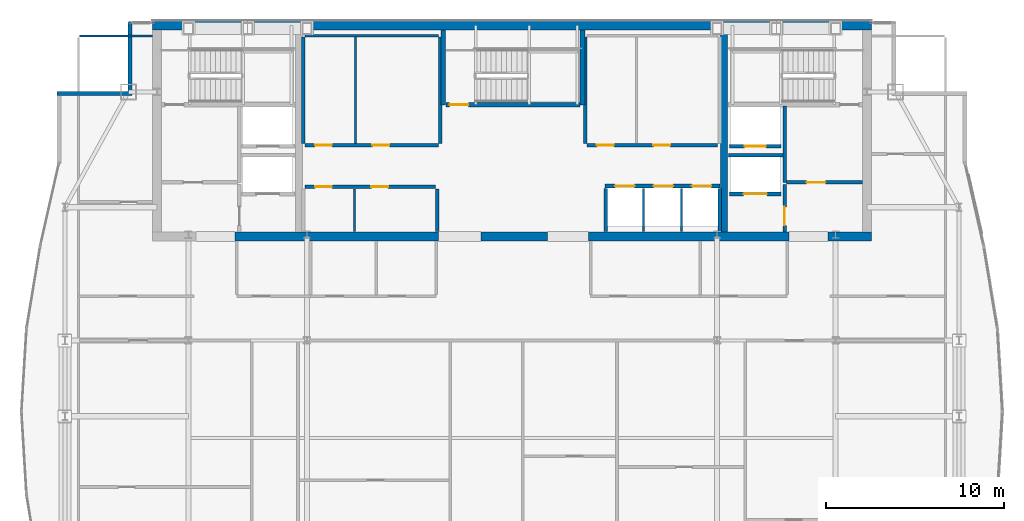
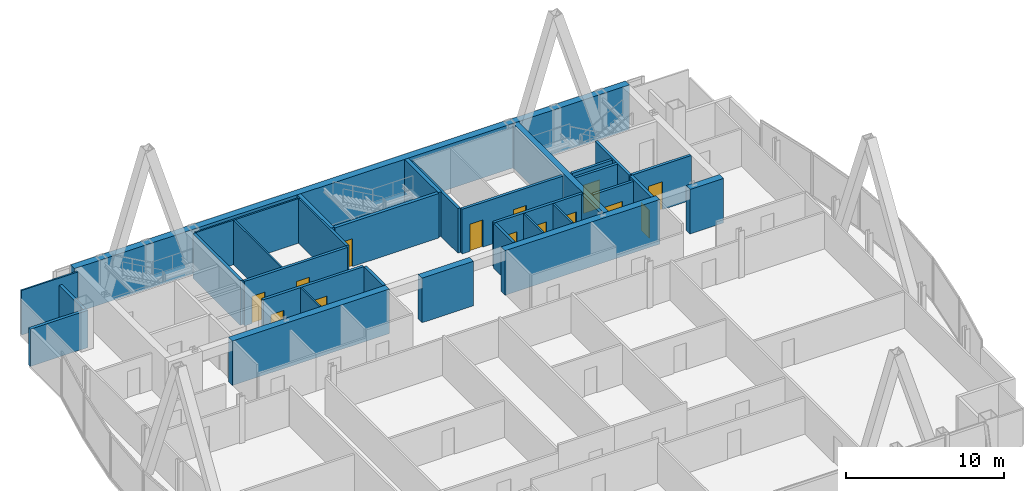
# One storey, part 28 of 31: 33 walls, 14 doors, 14 openings.
"""IFC4 building model written with IfcOpenShell, lengths in metres."""

from ifc_helpers import new_model, si_unit, direction, frame, frame_2d, origin, place, context, subcontext, project, spatial, rectangle, extrude, material, layer, layer_set, type_object, element, fill, save


model = new_model("IFC4")

# Units and contexts
model_context = context("Model", 3, precision=1e-05, world=origin(), true_north=direction((0.0, 1.0)))
body_context = subcontext(model_context, "Body", "Model", "MODEL_VIEW")
ifc_project = project(units=[si_unit("LENGTHUNIT", "METRE"), si_unit("AREAUNIT", "SQUARE_METRE"), si_unit("VOLUMEUNIT", "CUBIC_METRE"), si_unit("PLANEANGLEUNIT", "RADIAN"), si_unit("MASSUNIT", "GRAM", prefix="KILO")], contexts=[model_context])

# Site, building, storey
site_placement = place(None, origin())
site = spatial("IfcSite", under=ifc_project, at=site_placement, CompositionType="ELEMENT")
building_placement = place(site_placement, origin())
building = spatial("IfcBuilding", under=site, at=building_placement, Name="Khoronbel Lancet Exchange", CompositionType="ELEMENT")
storey_placement = place(building_placement, frame((0.0, 0.0, 325.39990234375)))
storey = spatial("IfcBuildingStorey", under=building, at=storey_placement, Name="L84", CompositionType="ELEMENT", Elevation=325.39990234375)

# Walls
ifc_material_1 = material(Name="Concrete C60/75", Category="concrete")
ifc_layer_1 = layer(ifc_material_1, 0.5, Name="Concrete C60/75")
ifc_layer_set_1 = layer_set([ifc_layer_1], Name="Concrete C60/75")
wall_type_1 = type_object("IfcWallType", Name="WL-CW4", PredefinedType="SHEAR", material=ifc_layer_set_1)
wall_1_placement = place(storey_placement, frame((16.199951171875, 53.449951171875, 0.0), z_axis=(0.0, 0.0, 1.0), x_axis=(1.0, 0.0, 0.0)))
element("IfcWall", 1, at=wall_1_placement, inside=storey, type_object=wall_type_1, Name="Level L84 rear core north shear wall", PredefinedType="SHEAR", context=body_context, shape_type="SweptSolid", body=[
    extrude(rectangle(XDim=40.5, YDim=0.5, at=frame_2d((20.25, 0.0))), origin(), (0.0, 0.0, 1.0), 3.440185546875),
])
wall_2_placement = place(storey_placement, frame((32.300048828125, 41.550048828125, 0.0), z_axis=(0.0, 0.0, 1.0), x_axis=(-1.0, 0.0, 0.0)))
element("IfcWall", 2, at=wall_2_placement, inside=storey, type_object=wall_type_1, Name="Level L84 rear core south shear wall pier P2", PredefinedType="SHEAR", context=body_context, shape_type="SweptSolid", body=[
    extrude(rectangle(XDim=11.449951171875, YDim=0.5, at=frame_2d((5.72509765625, 0.0))), origin(), (0.0, 0.0, 1.0), 3.440185546875),
])
wall_3_placement = place(storey_placement, frame((38.449951171875, 41.550048828125, 0.0), z_axis=(0.0, 0.0, 1.0), x_axis=(-1.0, 0.0, 0.0)))
element("IfcWall", 3, at=wall_3_placement, inside=storey, type_object=wall_type_1, Name="Level L84 rear core south shear wall pier P3", PredefinedType="SHEAR", context=body_context, shape_type="SweptSolid", body=[
    extrude(rectangle(XDim=3.75, YDim=0.5, at=frame_2d((1.875, 0.0))), origin(), (0.0, 0.0, 1.0), 3.440185546875),
])
wall_4_placement = place(storey_placement, frame((52.050048828125, 41.550048828125, 0.0), z_axis=(0.0, 0.0, 1.0), x_axis=(-1.0, 0.0, 0.0)))
element("IfcWall", 4, at=wall_4_placement, inside=storey, type_object=wall_type_1, Name="Level L84 rear core south shear wall pier P4", PredefinedType="SHEAR", context=body_context, shape_type="SweptSolid", body=[
    extrude(rectangle(XDim=11.300048828125, YDim=0.5, at=frame_2d((5.64990234375, 0.0))), origin(), (0.0, 0.0, 1.0), 3.440185546875),
])
wall_5_placement = place(storey_placement, frame((56.699951171875, 41.550048828125, 0.0), z_axis=(0.0, 0.0, 1.0), x_axis=(-1.0, 0.0, 0.0)))
element("IfcWall", 5, at=wall_5_placement, inside=storey, type_object=wall_type_1, Name="Level L84 rear core south shear wall pier P5", PredefinedType="SHEAR", context=body_context, shape_type="SweptSolid", body=[
    extrude(rectangle(XDim=2.449951171875, YDim=0.5, at=frame_2d((1.22509765625, 0.0))), origin(), (0.0, 0.0, 1.0), 3.440185546875),
])
ifc_material_2 = material(Name="Precast concrete C40/50", Category="concrete")
ifc_layer_2 = layer(ifc_material_2, 0.25, Name="Precast concrete C40/50")
ifc_layer_set_2 = layer_set([ifc_layer_2], Name="Precast concrete C40/50")
wall_type_2 = type_object("IfcWallType", Name="WL-EXT250", PredefinedType="SOLIDWALL", material=ifc_layer_set_2)
wall_6_placement = place(storey_placement, frame((10.830078125, 49.610107421875, 0.0), z_axis=(0.0, 0.0, 1.0), x_axis=(1.0, 0.0, 0.0)))
element("IfcWall", 6, at=wall_6_placement, inside=storey, type_object=wall_type_2, Name="Level L84 notched-corner limestone pier 11", PredefinedType="SOLIDWALL", context=body_context, shape_type="SweptSolid", body=[
    extrude(rectangle(XDim=4.219970703125, YDim=0.219970703125, at=frame_2d((2.10986328125, 0.0))), origin(), (0.0, 0.0, 1.0), 2.880126953125),
])
wall_7_placement = place(storey_placement, frame((14.93994140625, 49.719970703125, 0.0), z_axis=(0.0, 0.0, 1.0), x_axis=(0.0, 1.0, 0.0)))
element("IfcWall", 7, at=wall_7_placement, inside=storey, type_object=wall_type_2, Name="Level L84 notched-corner limestone pier 12", PredefinedType="SOLIDWALL", context=body_context, shape_type="SweptSolid", body=[
    extrude(rectangle(XDim=3.909912109375, YDim=0.219970703125, at=frame_2d((1.955078125, 0.0))), origin(), (0.0, 0.0, 1.0), 2.880126953125),
])
ifc_material_3 = material(Name="Acoustic Metal-Stud & Mineral-Wool Gypsum Partition 120 mm", Category="gypsum")
ifc_layer_3 = layer(ifc_material_3, 0.1201171875, Name="Acoustic Metal-Stud & Mineral-Wool Gypsum Partition 120 mm")
ifc_layer_set_3 = layer_set([ifc_layer_3], Name="Acoustic Metal-Stud & Mineral-Wool Gypsum Partition 120 mm")
wall_type_3 = type_object("IfcWallType", Name="WL-PRT120", PredefinedType="PARTITIONING", material=ifc_layer_set_3)
wall_8_placement = place(storey_placement, frame((12.094970703125, 52.840087890625, 0.0), z_axis=(0.0, 0.0, 1.0), x_axis=(1.0, 0.0, 0.0)))
element("IfcWall", 8, at=wall_8_placement, inside=storey, type_object=wall_type_3, Name="Level L84 interior partition PW-LIN-NW", PredefinedType="PARTITIONING", context=body_context, shape_type="SweptSolid", body=[
    extrude(rectangle(XDim=4.10498046875, YDim=0.1201171875, at=frame_2d((2.052490234375, 0.0))), origin(), (0.0, 0.0, 1.0), 3.440185546875),
])
ifc_material_4 = material(Name="Fire-Rated Metal-Stud & Mineral-Wool Gypsum Partition 120 mm", Category="gypsum")
ifc_layer_4 = layer(ifc_material_4, 0.1201171875, Name="Fire-Rated Metal-Stud & Mineral-Wool Gypsum Partition 120 mm")
ifc_layer_set_4 = layer_set([ifc_layer_4], Name="Fire-Rated Metal-Stud & Mineral-Wool Gypsum Partition 120 mm")
wall_type_4 = type_object("IfcWallType", Name="WL-PRT120F", PredefinedType="PARTITIONING", material=ifc_layer_set_4)
wall_9_placement = place(storey_placement, frame((24.804931640625, 52.860107421875, 0.0), z_axis=(0.0, 0.0, 1.0), x_axis=(1.0, 0.0, 0.0)))
element("IfcWall", 9, at=wall_9_placement, inside=storey, type_object=wall_type_4, Name="Level L84 interior partition CW-PL-RN", PredefinedType="PARTITIONING", context=body_context, shape_type="SweptSolid", body=[
    extrude(rectangle(XDim=7.510009765625, YDim=0.1201171875, at=frame_2d((3.7548828125, 0.0))), origin(), (0.0, 0.0, 1.0), 3.440185546875),
])
wall_10_placement = place(storey_placement, frame((27.633544921875, 46.804931640625, 0.0), z_axis=(0.0, 0.0, 1.0), x_axis=(0.0, 1.0, 0.0)))
element("IfcWall", 10, at=wall_10_placement, inside=storey, type_object=wall_type_4, Name="Level L84 interior partition CW-PL-RS1", PredefinedType="PARTITIONING", context=body_context, shape_type="SweptSolid", body=[
    extrude(rectangle(XDim=5.989990234375, YDim=0.1201171875, at=frame_2d((2.9951171875, 0.0))), origin(), (0.0, 0.0, 1.0), 3.440185546875),
])
wall_11_placement = place(storey_placement, frame((27.569091796875, 41.85009765625, 0.0), z_axis=(0.0, 0.0, 1.0), x_axis=(0.0, 1.0, 0.0)))
element("IfcWall", 11, at=wall_11_placement, inside=storey, type_object=wall_type_4, Name="Level L84 interior partition CW-PM-RS1", PredefinedType="PARTITIONING", context=body_context, shape_type="SweptSolid", body=[
    extrude(rectangle(XDim=2.39501953125, YDim=0.1201171875, at=frame_2d((1.197509765625, 0.0))), origin(), (0.0, 0.0, 1.0), 3.440185546875),
])
for number, where, z_axis, x_axis, name in (
    (12, (43.860107421875, 41.85009765625, 0.0), (0.0, 0.0, 1.0), (0.0, 1.0, 0.0), "Level L84 interior partition CW-PX-D1"),
    (13, (46.0, 41.85009765625, 0.0), (0.0, 0.0, 1.0), (0.0, 1.0, 0.0), "Level L84 interior partition CW-PX-D2"),
):
    element("IfcWall", number, at=place(storey_placement, frame(where, z_axis=z_axis, x_axis=x_axis)), inside=storey, type_object=wall_type_4, Name=name, PredefinedType="PARTITIONING", context=body_context, shape_type="SweptSolid", body=[
        extrude(rectangle(XDim=2.39990234375, YDim=0.1201171875, at=frame_2d((1.199951171875, 0.0))), origin(), (0.0, 0.0, 1.0), 3.440185546875),
    ])

# Wall, openings, doors
ifc_material_5 = material(Name="Autoclaved Aerated Concrete Blockwork 200 mm", Category="masonry")
ifc_layer_5 = layer(ifc_material_5, 0.199951171875, Name="Autoclaved Aerated Concrete Blockwork 200 mm")
ifc_layer_set_5 = layer_set([ifc_layer_5], Name="Autoclaved Aerated Concrete Blockwork 200 mm")
wall_type_5 = type_object("IfcWallType", Name="WL-PRT200", PredefinedType="PARTITIONING", material=ifc_layer_set_5)
wall_12_placement = place(storey_placement, frame((41.679931640625, 44.39990234375, 0.0), z_axis=(0.0, 0.0, 1.0), x_axis=(1.0, 0.0, 0.0)))
wall_12 = element("IfcWall", 14, at=wall_12_placement, inside=storey, type_object=wall_type_5, Name="Level L84 elevator hoistway landing front wall PXE", PredefinedType="PARTITIONING", context=body_context, shape_type="SweptSolid", body=[
    extrude(rectangle(XDim=6.47998046875, YDim=0.199951171875, at=frame_2d((3.239990234375, 0.0))), origin(), (0.0, 0.0, 1.0), 3.440185546875),
])
opening_1_placement = place(wall_12_placement, frame((0.580078125, 0.0, 0.0)))
opening_1 = element("IfcOpeningElement", 15, at=opening_1_placement, cuts=wall_12, Name="Opening LD-PX1", PredefinedType="OPENING", context=body_context, shape_type="SweptSolid", body=[
    extrude(rectangle(XDim=1.10009765625, YDim=2.179931640625, at=frame_2d((0.550048828125, 1.08984375))), frame((0.0, 0.10986328125, 0.0), z_axis=(0.0, -1.0, 0.0), x_axis=(1.0, 0.0, 0.0)), (0.0, 0.0, 1.0), 0.219970703125),
])
opening_2_placement = place(wall_12_placement, frame((2.739990234375, 0.0, 0.0)))
opening_2 = element("IfcOpeningElement", 16, at=opening_2_placement, cuts=wall_12, Name="Opening LD-PX2", PredefinedType="OPENING", context=body_context, shape_type="SweptSolid", body=[
    extrude(rectangle(XDim=1.10009765625, YDim=2.179931640625, at=frame_2d((0.550048828125, 1.08984375))), frame((0.0, 0.10986328125, 0.0), z_axis=(0.0, -1.0, 0.0), x_axis=(1.0, 0.0, 0.0)), (0.0, 0.0, 1.0), 0.219970703125),
])
opening_3_placement = place(wall_12_placement, frame((4.89990234375, 0.0, 0.0)))
opening_3 = element("IfcOpeningElement", 17, at=opening_3_placement, cuts=wall_12, Name="Opening LD-PX3", PredefinedType="OPENING", context=body_context, shape_type="SweptSolid", body=[
    extrude(rectangle(XDim=1.10009765625, YDim=2.179931640625, at=frame_2d((0.550048828125, 1.08984375))), frame((0.0, 0.10986328125, 0.0), z_axis=(0.0, -1.0, 0.0), x_axis=(1.0, 0.0, 0.0)), (0.0, 0.0, 1.0), 0.219970703125),
])
ifc_material_6 = material(Name="Brushed Bronze Bi-Parting Elevator Landing Door", Category="steel")
door_type_1 = type_object("IfcDoorType", Name="DR-LD-PAX", OperationType="NOTDEFINED", PredefinedType="DOOR", material=ifc_material_6)
door_1_placement = place(opening_1_placement, origin())
door_1 = element("IfcDoor", 18, at=door_1_placement, inside=storey, type_object=door_type_1, Name="Elevator landing sliding door LD-PX1 L84", OperationType="SLIDING_TO_LEFT", OverallHeight=2.179931640625, OverallWidth=1.10009765625, PredefinedType="DOOR", context=body_context, shape_type="SweptSolid", body=[
    extrude(rectangle(XDim=1.10009765625, YDim=2.179931640625, at=frame_2d((0.550048828125, 1.08984375))), frame((0.0, 0.02490234375, 0.0), z_axis=(0.0, -1.0, 0.0), x_axis=(1.0, 0.0, 0.0)), (0.0, 0.0, 1.0), 0.050048828125),
])
fill(opening_1, door_1)
door_2_placement = place(opening_2_placement, origin())
door_2 = element("IfcDoor", 19, at=door_2_placement, inside=storey, type_object=door_type_1, Name="Elevator landing sliding door LD-PX2 L84", OperationType="SLIDING_TO_LEFT", OverallHeight=2.179931640625, OverallWidth=1.10009765625, PredefinedType="DOOR", context=body_context, shape_type="SweptSolid", body=[
    extrude(rectangle(XDim=1.10009765625, YDim=2.179931640625, at=frame_2d((0.550048828125, 1.08984375))), frame((0.0, 0.02490234375, 0.0), z_axis=(0.0, -1.0, 0.0), x_axis=(1.0, 0.0, 0.0)), (0.0, 0.0, 1.0), 0.050048828125),
])
fill(opening_2, door_2)
door_3_placement = place(opening_3_placement, origin())
door_3 = element("IfcDoor", 20, at=door_3_placement, inside=storey, type_object=door_type_1, Name="Elevator landing sliding door LD-PX3 L84", OperationType="SLIDING_TO_LEFT", OverallHeight=2.179931640625, OverallWidth=1.10009765625, PredefinedType="DOOR", context=body_context, shape_type="SweptSolid", body=[
    extrude(rectangle(XDim=1.10009765625, YDim=2.179931640625, at=frame_2d((0.550048828125, 1.08984375))), frame((0.0, 0.02490234375, 0.0), z_axis=(0.0, -1.0, 0.0), x_axis=(1.0, 0.0, 0.0)), (0.0, 0.0, 1.0), 0.050048828125),
])
fill(opening_3, door_3)

# Wall, opening, door
wall_13_placement = place(storey_placement, frame((51.610107421875, 43.949951171875, 0.0), z_axis=(0.0, 0.0, 1.0), x_axis=(-1.0, 0.0, 0.0)))
wall_13 = element("IfcWall", 21, at=wall_13_placement, inside=storey, type_object=wall_type_5, Name="Level L84 elevator hoistway landing front wall SVLE", PredefinedType="PARTITIONING", context=body_context, shape_type="SweptSolid", body=[
    extrude(rectangle(XDim=2.920166015625, YDim=0.199951171875, at=frame_2d((1.4599609375, 0.0))), origin(), (0.0, 0.0, 1.0), 3.440185546875),
])
opening_4_placement = place(wall_13_placement, frame((0.81005859375, 0.0, 0.0)))
opening_4 = element("IfcOpeningElement", 22, at=opening_4_placement, cuts=wall_13, Name="Opening LD-SVL2", PredefinedType="OPENING", context=body_context, shape_type="SweptSolid", body=[
    extrude(rectangle(XDim=1.300048828125, YDim=2.179931640625, at=frame_2d((0.64990234375, 1.08984375))), frame((0.0, 0.10986328125, 0.0), z_axis=(0.0, -1.0, 0.0), x_axis=(1.0, 0.0, 0.0)), (0.0, 0.0, 1.0), 0.219970703125),
])
ifc_material_7 = material(Name="Heavy-Duty Bi-Parting Goods Lift Landing Door", Category="steel")
door_type_2 = type_object("IfcDoorType", Name="DR-LD-SVL", OperationType="NOTDEFINED", PredefinedType="DOOR", material=ifc_material_7)
door_4_placement = place(opening_4_placement, origin())
door_4 = element("IfcDoor", 23, at=door_4_placement, inside=storey, type_object=door_type_2, Name="Elevator landing sliding door LD-SVL2 L84", OperationType="SLIDING_TO_LEFT", OverallHeight=2.179931640625, OverallWidth=1.300048828125, PredefinedType="DOOR", context=body_context, shape_type="SweptSolid", body=[
    extrude(rectangle(XDim=1.300048828125, YDim=2.179931640625, at=frame_2d((0.64990234375, 1.08984375))), frame((0.0, 0.02490234375, 0.0), z_axis=(0.0, -1.0, 0.0), x_axis=(1.0, 0.0, 0.0)), (0.0, 0.0, 1.0), 0.050048828125),
])
fill(opening_4, door_4)

wall_14_placement = place(storey_placement, frame((51.610107421875, 46.64990234375, 0.0), z_axis=(0.0, 0.0, 1.0), x_axis=(-1.0, 0.0, 0.0)))
wall_14 = element("IfcWall", 24, at=wall_14_placement, inside=storey, type_object=wall_type_5, Name="Level L84 elevator hoistway landing front wall FFLE", PredefinedType="PARTITIONING", context=body_context, shape_type="SweptSolid", body=[
    extrude(rectangle(XDim=2.920166015625, YDim=0.199951171875, at=frame_2d((1.4599609375, 0.0))), origin(), (0.0, 0.0, 1.0), 3.440185546875),
])
opening_5_placement = place(wall_14_placement, frame((0.860107421875, 0.0, 0.0)))
opening_5 = element("IfcOpeningElement", 25, at=opening_5_placement, cuts=wall_14, Name="Opening LD-FFL2", PredefinedType="OPENING", context=body_context, shape_type="SweptSolid", body=[
    extrude(rectangle(XDim=1.199951171875, YDim=2.179931640625, at=frame_2d((0.60009765625, 1.08984375))), frame((0.0, 0.10986328125, 0.0), z_axis=(0.0, -1.0, 0.0), x_axis=(1.0, 0.0, 0.0)), (0.0, 0.0, 1.0), 0.219970703125),
])
ifc_material_8 = material(Name="Fire-Rated Stainless Bi-Parting Firefighting Lift Door", Category="steel")
door_type_3 = type_object("IfcDoorType", Name="DR-LD-FFL", OperationType="NOTDEFINED", PredefinedType="DOOR", material=ifc_material_8)
door_5_placement = place(opening_5_placement, origin())
door_5 = element("IfcDoor", 26, at=door_5_placement, inside=storey, type_object=door_type_3, Name="Elevator landing sliding door LD-FFL2 L84", OperationType="SLIDING_TO_LEFT", OverallHeight=2.179931640625, OverallWidth=1.199951171875, PredefinedType="DOOR", context=body_context, shape_type="SweptSolid", body=[
    extrude(rectangle(XDim=1.199951171875, YDim=2.179931640625, at=frame_2d((0.60009765625, 1.08984375))), frame((0.0, 0.02490234375, 0.0), z_axis=(0.0, -1.0, 0.0), x_axis=(1.0, 0.0, 0.0)), (0.0, 0.0, 1.0), 0.050048828125),
])
fill(opening_5, door_5)

# Wall
wall_15_placement = place(storey_placement, frame((51.800048828125, 44.60009765625, 0.0), z_axis=(0.0, 0.0, 1.0), x_axis=(0.0, 1.0, 0.0)))
element("IfcWall", 27, at=wall_15_placement, inside=storey, type_object=wall_type_5, Name="Level L84 interior partition CW-FFLE-W", PredefinedType="PARTITIONING", context=body_context, shape_type="SweptSolid", body=[
    extrude(rectangle(XDim=4.2998046875, YDim=0.199951171875, at=frame_2d((2.14990234375, 0.0))), origin(), (0.0, 0.0, 1.0), 3.440185546875),
])

# Wall, opening, door
wall_16_placement = place(storey_placement, frame((51.89990234375, 44.60009765625, 0.0), z_axis=(0.0, 0.0, 1.0), x_axis=(1.0, 0.0, 0.0)))
wall_16 = element("IfcWall", 28, at=wall_16_placement, inside=storey, type_object=wall_type_5, Name="Level L84 interior partition CW-FFLE-S", PredefinedType="PARTITIONING", context=body_context, shape_type="SweptSolid", body=[
    extrude(rectangle(XDim=4.300048828125, YDim=0.199951171875, at=frame_2d((2.14990234375, 0.0))), origin(), (0.0, 0.0, 1.0), 3.440185546875),
])
opening_6_placement = place(wall_16_placement, frame((1.14990234375, 0.0, 0.0)))
opening_6 = element("IfcOpeningElement", 29, at=opening_6_placement, cuts=wall_16, Name="Opening FD1", PredefinedType="OPENING", context=body_context, shape_type="SweptSolid", body=[
    extrude(rectangle(XDim=1.050048828125, YDim=2.14990234375, at=frame_2d((0.52490234375, 1.074951171875))), frame((0.0, 0.10986328125, 0.0), z_axis=(0.0, -1.0, 0.0), x_axis=(1.0, 0.0, 0.0)), (0.0, 0.0, 1.0), 0.219970703125),
])
ifc_material_9 = material(Name="Fire-Rated Painted Steel Door Assembly", Category="steel")
door_type_4 = type_object("IfcDoorType", Name="DR-FD1", OperationType="NOTDEFINED", PredefinedType="DOOR", material=ifc_material_9)
door_6_placement = place(opening_6_placement, origin())
door_6 = element("IfcDoor", 30, at=door_6_placement, inside=storey, type_object=door_type_4, Name="East firefighting lobby FD90S door L84-1", OperationType="SINGLE_SWING_LEFT", OverallHeight=2.14990234375, OverallWidth=1.050048828125, PredefinedType="DOOR", context=body_context, shape_type="SweptSolid", body=[
    extrude(rectangle(XDim=1.050048828125, YDim=2.14990234375, at=frame_2d((0.52490234375, 1.074951171875))), frame((0.0, 0.02490234375, 0.0), z_axis=(0.0, -1.0, 0.0), x_axis=(1.0, 0.0, 0.0)), (0.0, 0.0, 1.0), 0.050048828125),
])
fill(opening_6, door_6)

# Wall
wall_17_placement = place(storey_placement, frame((48.6298828125, 46.1201171875, 0.0), z_axis=(0.0, 0.0, 1.0), x_axis=(1.0, 0.0, 0.0)))
element("IfcWall", 31, at=wall_17_placement, inside=storey, type_object=wall_type_5, Name="Level L84 interior partition CW-FFL2-S", PredefinedType="PARTITIONING", context=body_context, shape_type="SweptSolid", body=[
    extrude(rectangle(XDim=3.070068359375, YDim=0.199951171875, at=frame_2d((1.53515625, 0.0))), origin(), (0.0, 0.0, 1.0), 3.440185546875),
])

# Wall, opening, door
wall_18_placement = place(storey_placement, frame((51.800048828125, 41.800048828125, 0.0), z_axis=(0.0, 0.0, 1.0), x_axis=(0.0, 1.0, 0.0)))
wall_18 = element("IfcWall", 32, at=wall_18_placement, inside=storey, type_object=wall_type_5, Name="Level L84 interior partition CW-SVLE-E", PredefinedType="PARTITIONING", context=body_context, shape_type="SweptSolid", body=[
    extrude(rectangle(XDim=2.695068359375, YDim=0.199951171875, at=frame_2d((1.34765625, 0.0))), origin(), (0.0, 0.0, 1.0), 3.440185546875),
])
opening_7_placement = place(wall_18_placement, frame((0.3798828125, 0.0, 0.0)))
opening_7 = element("IfcOpeningElement", 33, at=opening_7_placement, cuts=wall_18, Name="Opening FD1", PredefinedType="OPENING", context=body_context, shape_type="SweptSolid", body=[
    extrude(rectangle(XDim=1.050048828125, YDim=2.14990234375, at=frame_2d((0.52490234375, 1.074951171875))), frame((0.0, 0.10986328125, 0.0), z_axis=(0.0, -1.0, 0.0), x_axis=(1.0, 0.0, 0.0)), (0.0, 0.0, 1.0), 0.219970703125),
])
door_7_placement = place(opening_7_placement, origin())
door_7 = element("IfcDoor", 34, at=door_7_placement, inside=storey, type_object=door_type_4, Name="East service lift lobby door L84-1", OperationType="SINGLE_SWING_RIGHT", OverallHeight=2.14990234375, OverallWidth=1.050048828125, PredefinedType="DOOR", context=body_context, shape_type="SweptSolid", body=[
    extrude(rectangle(XDim=1.050048828125, YDim=2.14990234375, at=frame_2d((0.52490234375, 1.074951171875))), frame((0.0, 0.02490234375, 0.0), z_axis=(0.0, -1.0, 0.0), x_axis=(1.0, 0.0, 0.0)), (0.0, 0.0, 1.0), 0.050048828125),
])
fill(opening_7, door_7)

# Walls
for number, where, z_axis, x_axis, name in (
    (35, (24.699951171875, 46.804931640625, 0.0), (0.0, 0.0, 1.0), (0.0, 1.0, 0.0), "Level L84 interior partition CW-PL-RW"),
    (36, (32.419921875, 46.804931640625, 0.0), (0.0, 0.0, 1.0), (0.0, 1.0, 0.0), "Level L84 interior partition CW-PL-RE"),
):
    element("IfcWall", number, at=place(storey_placement, frame(where, z_axis=z_axis, x_axis=x_axis)), inside=storey, type_object=wall_type_5, Name=name, PredefinedType="PARTITIONING", context=body_context, shape_type="SweptSolid", body=[
        extrude(rectangle(XDim=5.989990234375, YDim=0.199951171875, at=frame_2d((2.9951171875, 0.0))), origin(), (0.0, 0.0, 1.0), 3.440185546875),
    ])

# Wall, openings, doors
wall_19_placement = place(storey_placement, frame((24.804931640625, 46.699951171875, 0.0), z_axis=(0.0, 0.0, 1.0), x_axis=(1.0, 0.0, 0.0)))
wall_19 = element("IfcWall", 37, at=wall_19_placement, inside=storey, type_object=wall_type_5, Name="Level L84 interior partition CW-PL-RF", PredefinedType="PARTITIONING", context=body_context, shape_type="SweptSolid", body=[
    extrude(rectangle(XDim=7.510009765625, YDim=0.199951171875, at=frame_2d((3.7548828125, 0.0))), origin(), (0.0, 0.0, 1.0), 3.440185546875),
])
opening_8_placement = place(wall_19_placement, frame((0.550048828125, 0.0, 0.0)))
opening_8 = element("IfcOpeningElement", 38, at=opening_8_placement, cuts=wall_19, Name="Opening FD3", PredefinedType="OPENING", context=body_context, shape_type="SweptSolid", body=[
    extrude(rectangle(XDim=0.949951171875, YDim=2.10009765625, at=frame_2d((0.47509765625, 1.050048828125))), frame((0.0, 0.10986328125, 0.0), z_axis=(0.0, -1.0, 0.0), x_axis=(1.0, 0.0, 0.0)), (0.0, 0.0, 1.0), 0.219970703125),
])
opening_9_placement = place(wall_19_placement, frame((3.78369140625, 0.0, 0.0)))
opening_9 = element("IfcOpeningElement", 39, at=opening_9_placement, cuts=wall_19, Name="Opening FD3", PredefinedType="OPENING", context=body_context, shape_type="SweptSolid", body=[
    extrude(rectangle(XDim=0.949951171875, YDim=2.10009765625, at=frame_2d((0.47509765625, 1.050048828125))), frame((0.0, 0.10986328125, 0.0), z_axis=(0.0, -1.0, 0.0), x_axis=(1.0, 0.0, 0.0)), (0.0, 0.0, 1.0), 0.219970703125),
])
ifc_material_10 = material(Name="Fire-Rated Steel Plant & Riser Door Assembly", Category="steel")
door_type_5 = type_object("IfcDoorType", Name="DR-FD3", OperationType="NOTDEFINED", PredefinedType="DOOR", material=ifc_material_10)
door_8_placement = place(opening_8_placement, origin())
door_8 = element("IfcDoor", 40, at=door_8_placement, inside=storey, type_object=door_type_5, Name="Reclaimed PL A door L84-1", OperationType="SINGLE_SWING_LEFT", OverallHeight=2.10009765625, OverallWidth=0.949951171875, PredefinedType="DOOR", context=body_context, shape_type="SweptSolid", body=[
    extrude(rectangle(XDim=0.949951171875, YDim=2.10009765625, at=frame_2d((0.47509765625, 1.050048828125))), frame((0.0, 0.02490234375, 0.0), z_axis=(0.0, -1.0, 0.0), x_axis=(1.0, 0.0, 0.0)), (0.0, 0.0, 1.0), 0.050048828125),
])
fill(opening_8, door_8)
door_9_placement = place(opening_9_placement, origin())
door_9 = element("IfcDoor", 41, at=door_9_placement, inside=storey, type_object=door_type_5, Name="Reclaimed PL B door L84-2", OperationType="SINGLE_SWING_RIGHT", OverallHeight=2.10009765625, OverallWidth=0.949951171875, PredefinedType="DOOR", context=body_context, shape_type="SweptSolid", body=[
    extrude(rectangle(XDim=0.949951171875, YDim=2.10009765625, at=frame_2d((0.47509765625, 1.050048828125))), frame((0.0, 0.02490234375, 0.0), z_axis=(0.0, -1.0, 0.0), x_axis=(1.0, 0.0, 0.0)), (0.0, 0.0, 1.0), 0.050048828125),
])
fill(opening_9, door_9)

# Wall
wall_20_placement = place(storey_placement, frame((32.25, 41.85009765625, 0.0), z_axis=(0.0, 0.0, 1.0), x_axis=(0.0, 1.0, 0.0)))
element("IfcWall", 42, at=wall_20_placement, inside=storey, type_object=wall_type_5, Name="Level L84 interior partition CW-PM-RE", PredefinedType="PARTITIONING", context=body_context, shape_type="SweptSolid", body=[
    extrude(rectangle(XDim=2.39501953125, YDim=0.199951171875, at=frame_2d((1.197509765625, 0.0))), origin(), (0.0, 0.0, 1.0), 3.440185546875),
])

# Wall, openings, doors
wall_21_placement = place(storey_placement, frame((24.804931640625, 44.35009765625, 0.0), z_axis=(0.0, 0.0, 1.0), x_axis=(1.0, 0.0, 0.0)))
wall_21 = element("IfcWall", 43, at=wall_21_placement, inside=storey, type_object=wall_type_5, Name="Level L84 interior partition CW-PM-RF", PredefinedType="PARTITIONING", context=body_context, shape_type="SweptSolid", body=[
    extrude(rectangle(XDim=7.340087890625, YDim=0.199951171875, at=frame_2d((3.669921875, 0.0))), origin(), (0.0, 0.0, 1.0), 3.440185546875),
])
opening_10_placement = place(wall_21_placement, frame((0.550048828125, 0.0, 0.0)))
opening_10 = element("IfcOpeningElement", 44, at=opening_10_placement, cuts=wall_21, Name="Opening FD3", PredefinedType="OPENING", context=body_context, shape_type="SweptSolid", body=[
    extrude(rectangle(XDim=0.949951171875, YDim=2.10009765625, at=frame_2d((0.47509765625, 1.050048828125))), frame((0.0, 0.10986328125, 0.0), z_axis=(0.0, -1.0, 0.0), x_axis=(1.0, 0.0, 0.0)), (0.0, 0.0, 1.0), 0.219970703125),
])
opening_11_placement = place(wall_21_placement, frame((3.718994140625, 0.0, 0.0)))
opening_11 = element("IfcOpeningElement", 45, at=opening_11_placement, cuts=wall_21, Name="Opening FD3", PredefinedType="OPENING", context=body_context, shape_type="SweptSolid", body=[
    extrude(rectangle(XDim=0.949951171875, YDim=2.10009765625, at=frame_2d((0.47509765625, 1.050048828125))), frame((0.0, 0.10986328125, 0.0), z_axis=(0.0, -1.0, 0.0), x_axis=(1.0, 0.0, 0.0)), (0.0, 0.0, 1.0), 0.219970703125),
])
door_10_placement = place(opening_10_placement, origin())
door_10 = element("IfcDoor", 46, at=door_10_placement, inside=storey, type_object=door_type_5, Name="Reclaimed PM A door L84-1", OperationType="SINGLE_SWING_LEFT", OverallHeight=2.10009765625, OverallWidth=0.949951171875, PredefinedType="DOOR", context=body_context, shape_type="SweptSolid", body=[
    extrude(rectangle(XDim=0.949951171875, YDim=2.10009765625, at=frame_2d((0.47509765625, 1.050048828125))), frame((0.0, 0.02490234375, 0.0), z_axis=(0.0, -1.0, 0.0), x_axis=(1.0, 0.0, 0.0)), (0.0, 0.0, 1.0), 0.050048828125),
])
fill(opening_10, door_10)
door_11_placement = place(opening_11_placement, origin())
door_11 = element("IfcDoor", 47, at=door_11_placement, inside=storey, type_object=door_type_5, Name="Reclaimed PM B door L84-2", OperationType="SINGLE_SWING_RIGHT", OverallHeight=2.10009765625, OverallWidth=0.949951171875, PredefinedType="DOOR", context=body_context, shape_type="SweptSolid", body=[
    extrude(rectangle(XDim=0.949951171875, YDim=2.10009765625, at=frame_2d((0.47509765625, 1.050048828125))), frame((0.0, 0.02490234375, 0.0), z_axis=(0.0, -1.0, 0.0), x_axis=(1.0, 0.0, 0.0)), (0.0, 0.0, 1.0), 0.050048828125),
])
fill(opening_11, door_11)

# Wall
wall_22_placement = place(storey_placement, frame((40.580078125, 46.804931640625, 0.0), z_axis=(0.0, 0.0, 1.0), x_axis=(0.0, 1.0, 0.0)))
element("IfcWall", 48, at=wall_22_placement, inside=storey, type_object=wall_type_5, Name="Level L84 interior partition CW-PH-RW", PredefinedType="PARTITIONING", context=body_context, shape_type="SweptSolid", body=[
    extrude(rectangle(XDim=5.989990234375, YDim=0.199951171875, at=frame_2d((2.9951171875, 0.0))), origin(), (0.0, 0.0, 1.0), 3.440185546875),
])

# Wall, openings, doors
wall_23_placement = place(storey_placement, frame((40.68505859375, 46.699951171875, 0.0), z_axis=(0.0, 0.0, 1.0), x_axis=(1.0, 0.0, 0.0)))
wall_23 = element("IfcWall", 49, at=wall_23_placement, inside=storey, type_object=wall_type_5, Name="Level L84 interior partition CW-PH-RF", PredefinedType="PARTITIONING", context=body_context, shape_type="SweptSolid", body=[
    extrude(rectangle(XDim=7.349853515625, YDim=0.199951171875, at=frame_2d((3.6748046875, 0.0))), origin(), (0.0, 0.0, 1.0), 3.440185546875),
])
opening_12_placement = place(wall_23_placement, frame((0.550048828125, 0.0, 0.0)))
opening_12 = element("IfcOpeningElement", 50, at=opening_12_placement, cuts=wall_23, Name="Opening FD3", PredefinedType="OPENING", context=body_context, shape_type="SweptSolid", body=[
    extrude(rectangle(XDim=0.949951171875, YDim=2.10009765625, at=frame_2d((0.47509765625, 1.050048828125))), frame((0.0, 0.10986328125, 0.0), z_axis=(0.0, -1.0, 0.0), x_axis=(1.0, 0.0, 0.0)), (0.0, 0.0, 1.0), 0.219970703125),
])
opening_13_placement = place(wall_23_placement, frame((3.722900390625, 0.0, 0.0)))
opening_13 = element("IfcOpeningElement", 51, at=opening_13_placement, cuts=wall_23, Name="Opening FD3", PredefinedType="OPENING", context=body_context, shape_type="SweptSolid", body=[
    extrude(rectangle(XDim=0.949951171875, YDim=2.10009765625, at=frame_2d((0.47509765625, 1.050048828125))), frame((0.0, 0.10986328125, 0.0), z_axis=(0.0, -1.0, 0.0), x_axis=(1.0, 0.0, 0.0)), (0.0, 0.0, 1.0), 0.219970703125),
])
door_12_placement = place(opening_12_placement, origin())
door_12 = element("IfcDoor", 52, at=door_12_placement, inside=storey, type_object=door_type_5, Name="Reclaimed PH A door L84-1", OperationType="SINGLE_SWING_LEFT", OverallHeight=2.10009765625, OverallWidth=0.949951171875, PredefinedType="DOOR", context=body_context, shape_type="SweptSolid", body=[
    extrude(rectangle(XDim=0.949951171875, YDim=2.10009765625, at=frame_2d((0.47509765625, 1.050048828125))), frame((0.0, 0.02490234375, 0.0), z_axis=(0.0, -1.0, 0.0), x_axis=(1.0, 0.0, 0.0)), (0.0, 0.0, 1.0), 0.050048828125),
])
fill(opening_12, door_12)
door_13_placement = place(opening_13_placement, origin())
door_13 = element("IfcDoor", 53, at=door_13_placement, inside=storey, type_object=door_type_5, Name="Reclaimed PH B door L84-2", OperationType="SINGLE_SWING_RIGHT", OverallHeight=2.10009765625, OverallWidth=0.949951171875, PredefinedType="DOOR", context=body_context, shape_type="SweptSolid", body=[
    extrude(rectangle(XDim=0.949951171875, YDim=2.10009765625, at=frame_2d((0.47509765625, 1.050048828125))), frame((0.0, 0.02490234375, 0.0), z_axis=(0.0, -1.0, 0.0), x_axis=(1.0, 0.0, 0.0)), (0.0, 0.0, 1.0), 0.050048828125),
])
fill(opening_13, door_13)

# Walls
for number, where, z_axis, x_axis, name in (
    (54, (41.719970703125, 41.85009765625, 0.0), (0.0, 0.0, 1.0), (0.0, 1.0, 0.0), "Level L84 interior partition CW-PX-W"),
    (55, (48.139892578125, 41.85009765625, 0.0), (0.0, 0.0, 1.0), (0.0, 1.0, 0.0), "Level L84 interior partition CW-PX-E"),
):
    element("IfcWall", number, at=place(storey_placement, frame(where, z_axis=z_axis, x_axis=x_axis)), inside=storey, type_object=wall_type_5, Name=name, PredefinedType="PARTITIONING", context=body_context, shape_type="SweptSolid", body=[
        extrude(rectangle(XDim=2.39990234375, YDim=0.199951171875, at=frame_2d((1.199951171875, 0.0))), origin(), (0.0, 0.0, 1.0), 3.440185546875),
    ])
ifc_layer_6 = layer(ifc_material_1, 0.39990234375, Name="Concrete C60/75")
ifc_layer_set_6 = layer_set([ifc_layer_6], Name="Concrete C60/75")
wall_type_6 = type_object("IfcWallType", Name="WL-SW2", PredefinedType="SHEAR", material=ifc_layer_set_6)
wall_24_placement = place(storey_placement, frame((48.39990234375, 41.800048828125, 0.0), z_axis=(0.0, 0.0, 1.0), x_axis=(0.0, 1.0, 0.0)))
element("IfcWall", 56, at=wall_24_placement, inside=storey, type_object=wall_type_6, Name="Level L84 rear core internal spine shear wall IE", PredefinedType="SHEAR", context=body_context, shape_type="SweptSolid", body=[
    extrude(rectangle(XDim=11.39990234375, YDim=0.39990234375, at=frame_2d((5.699951171875, 0.0))), origin(), (0.0, 0.0, 1.0), 3.440185546875),
])
ifc_layer_7 = layer(ifc_material_1, 0.260009765625, Name="Concrete C60/75")
ifc_layer_set_7 = layer_set([ifc_layer_7], Name="Concrete C60/75")
wall_type_7 = type_object("IfcWallType", Name="WL-SW3", PredefinedType="SHEAR", material=ifc_layer_set_7)
for number, where, z_axis, x_axis, name in (
    (57, (32.580078125, 48.949951171875, 0.0), (0.0, 0.0, 1.0), (0.0, 1.0, 0.0), "Level L84 central stairwell structural shear wall ST3W"),
    (58, (40.419921875, 48.949951171875, 0.0), (0.0, 0.0, 1.0), (0.0, 1.0, 0.0), "Level L84 central stairwell structural shear wall ST3E"),
):
    element("IfcWall", number, at=place(storey_placement, frame(where, z_axis=z_axis, x_axis=x_axis)), inside=storey, type_object=wall_type_7, Name=name, PredefinedType="SHEAR", context=body_context, shape_type="SweptSolid", body=[
        extrude(rectangle(XDim=4.25, YDim=0.260009765625, at=frame_2d((2.125, 0.0))), origin(), (0.0, 0.0, 1.0), 3.440185546875),
    ])

# Wall, opening, door
wall_25_placement = place(storey_placement, frame((32.719970703125, 48.97998046875, 0.0), z_axis=(0.0, 0.0, 1.0), x_axis=(1.0, 0.0, 0.0)))
wall_25 = element("IfcWall", 59, at=wall_25_placement, inside=storey, type_object=wall_type_7, Name="Level L84 central stairwell structural south wall", PredefinedType="SHEAR", context=body_context, shape_type="SweptSolid", body=[
    extrude(rectangle(XDim=7.56005859375, YDim=0.239990234375, at=frame_2d((3.780029296875, 0.0))), origin(), (0.0, 0.0, 1.0), 3.440185546875),
])
opening_14_placement = place(wall_25_placement, frame((0.219970703125, 0.0, 0.0)))
opening_14 = element("IfcOpeningElement", 60, at=opening_14_placement, cuts=wall_25, Name="Opening SD1", PredefinedType="OPENING", context=body_context, shape_type="SweptSolid", body=[
    extrude(rectangle(XDim=1.050048828125, YDim=2.14990234375, at=frame_2d((0.52490234375, 1.074951171875))), frame((0.0, 0.1298828125, 0.0), z_axis=(0.0, -1.0, 0.0), x_axis=(1.0, 0.0, 0.0)), (0.0, 0.0, 1.0), 0.260009765625),
])
ifc_material_11 = material(Name="Fire-Rated Steel Stairwell Door Assembly", Category="steel")
door_type_6 = type_object("IfcDoorType", Name="DR-SD1", OperationType="NOTDEFINED", PredefinedType="DOOR", material=ifc_material_11)
door_14_placement = place(opening_14_placement, origin())
door_14 = element("IfcDoor", 61, at=door_14_placement, inside=storey, type_object=door_type_6, Name="Protected exit stair ST3 door L84", OperationType="SINGLE_SWING_LEFT", OverallHeight=2.14990234375, OverallWidth=1.050048828125, PredefinedType="DOOR", context=body_context, shape_type="SweptSolid", body=[
    extrude(rectangle(XDim=1.050048828125, YDim=2.14990234375, at=frame_2d((0.52490234375, 1.074951171875))), frame((0.0, 0.02490234375, 0.0), z_axis=(0.0, -1.0, 0.0), x_axis=(1.0, 0.0, 0.0)), (0.0, 0.0, 1.0), 0.050048828125),
])
fill(opening_14, door_14)

save(model, "model.ifc")
